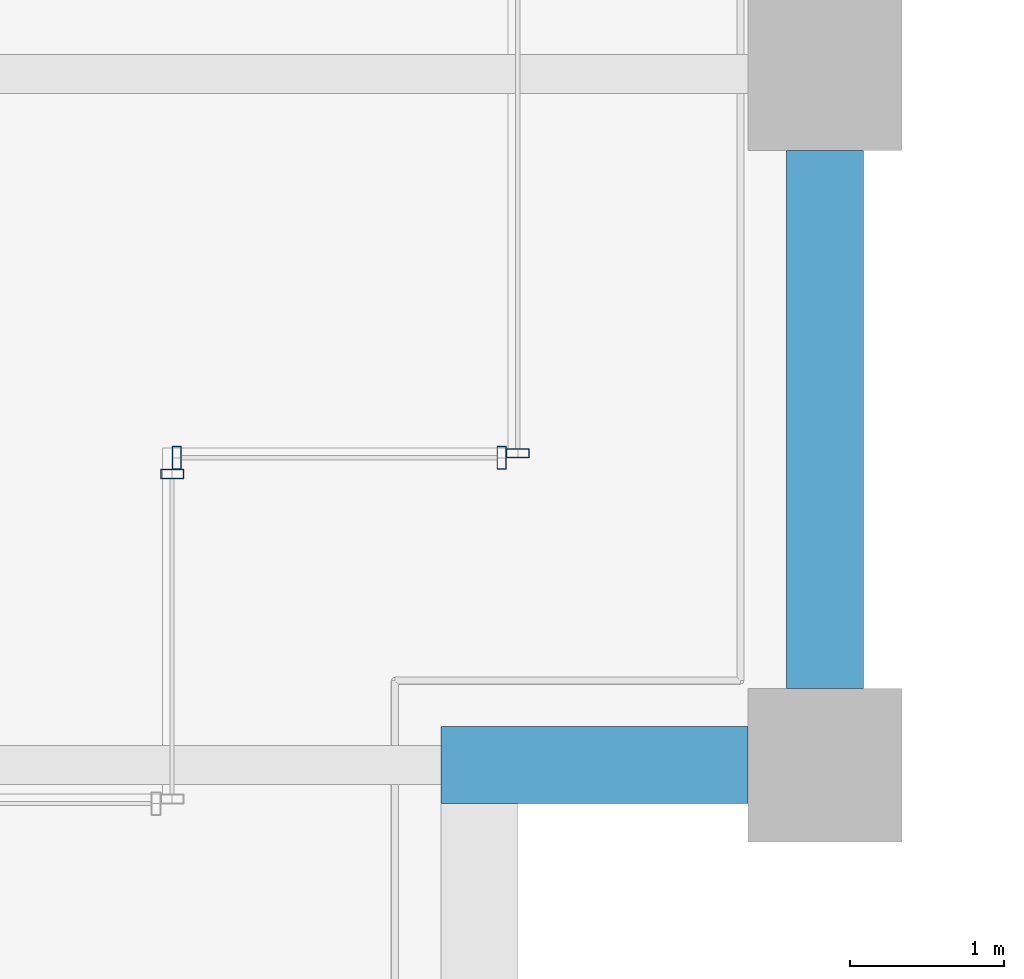
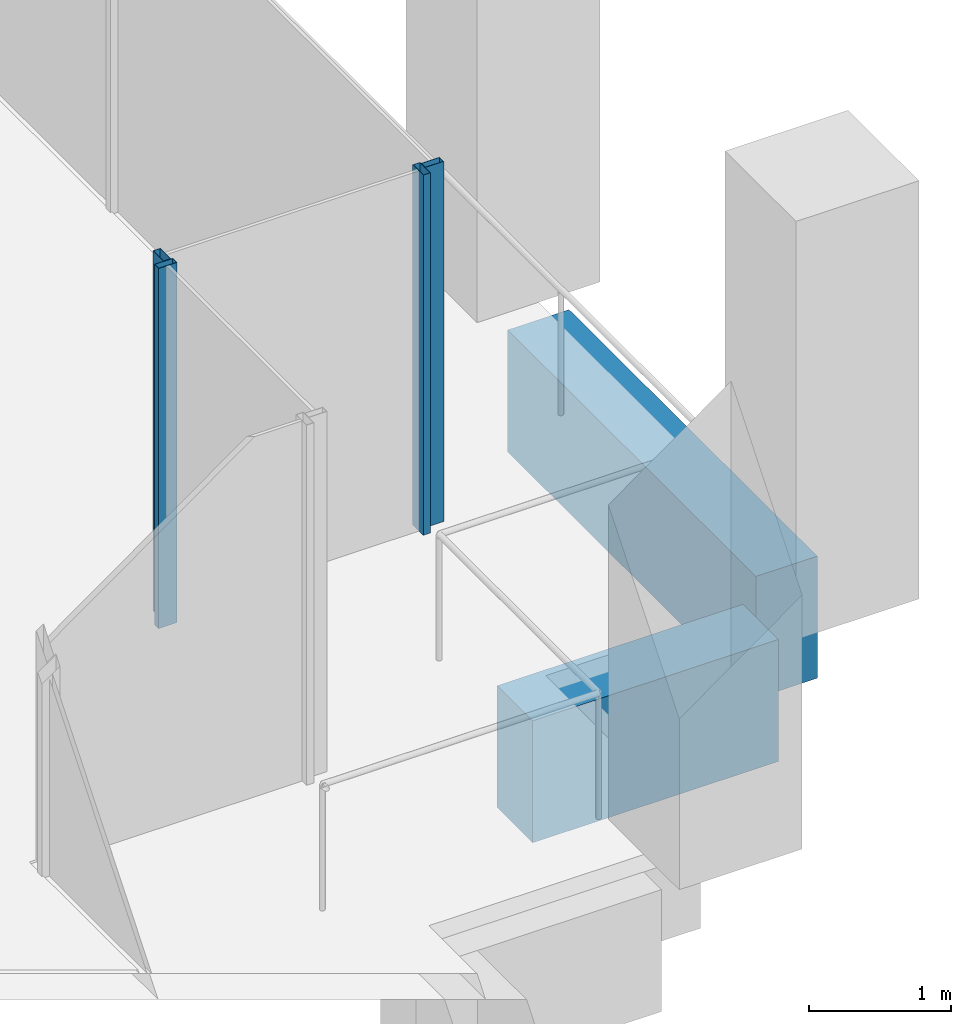
# One storey, part 13 of 47: 4 members, 2 beams, 3 elements without a shape of their own.
"""IFC4 building model written with IfcOpenShell, lengths in metres."""

from ifc_helpers import new_model, si_unit, direction, frame, origin, origin_2d, place, context, subcontext, project, spatial, rectangle, hollow_rectangle, extrude, material, material_profile, profile_set, type_object, element, aggregate, save


model = new_model("IFC4")

# Units and contexts
model_context = context("Model", 3, precision=1e-05, world=origin(), true_north=direction((0.0, 1.0)))
body_context = subcontext(model_context, "Body", "Model", "MODEL_VIEW")
ifc_project = project(units=[si_unit("LENGTHUNIT", "METRE"), si_unit("AREAUNIT", "SQUARE_METRE"), si_unit("VOLUMEUNIT", "CUBIC_METRE"), si_unit("PLANEANGLEUNIT", "RADIAN"), si_unit("MASSUNIT", "GRAM", prefix="KILO")], contexts=[model_context])

# Site, building, storey
site_placement = place(None, origin())
site = spatial("IfcSite", under=ifc_project, at=site_placement, CompositionType="ELEMENT")
building_placement = place(site_placement, origin())
building = spatial("IfcBuilding", under=site, at=building_placement, Name="Altepetl Exchange Towers", CompositionType="ELEMENT")
storey_placement = place(building_placement, frame((0.0, 0.0, 99.199951171875)))
storey = spatial("IfcBuildingStorey", under=building, at=storey_placement, Name="L24", CompositionType="ELEMENT", Elevation=99.199951171875)

# Curtain wall, member
ifc_material_1 = material(Name="Aluminium 6063-T6 glazing", Category="aluminium")
curtain_wall_type = type_object("IfcCurtainWallType", Name="Loggia glazing system", PredefinedType="NOTDEFINED", material=ifc_material_1)
curtain_wall_1_placement = place(storey_placement, origin())
curtain_wall_1 = element("IfcCurtainWall", 1, at=curtain_wall_1_placement, inside=storey, type_object=curtain_wall_type, Name="CW1 run", PredefinedType="NOTDEFINED")
ifc_material_2 = material(Name="Aluminium 6063-T6", Category="aluminium")
ifc_material_profile_1 = material_profile(ifc_material_2, hollow_rectangle(XDim=0.06005859375, YDim=0.14990234375, WallThickness=0.0029296875, at=origin_2d()), Name="Mullion 60x150 aluminium")
ifc_profile_set_1 = profile_set([ifc_material_profile_1], Name="Aluminium 6063-T6")
member_type = type_object("IfcMemberType", Name="Mullion 60x150 aluminium", PredefinedType="MULLION", material=ifc_profile_set_1)
member_1_placement = place(storey_placement, frame((67.75, 33.39501953125, 0.0), z_axis=(0.0, 0.0, 1.0), x_axis=(0.0, 1.0, 0.0)))
member_1 = element("IfcMember", 2, at=member_1_placement, type_object=member_type, Name="MU1 mullion", PredefinedType="MULLION", context=body_context, shape_type="SweptSolid", body=[
    extrude(hollow_rectangle(XDim=0.06005859375, YDim=0.14990234375, WallThickness=0.0029296875, at=origin_2d()), origin(), (0.0, 0.0, 1.0), 3.10009765625),
])
aggregate(curtain_wall_1, [member_1])

# Curtain wall, members
curtain_wall_2_placement = place(storey_placement, origin())
curtain_wall_2 = element("IfcCurtainWall", 3, at=curtain_wall_2_placement, inside=storey, type_object=curtain_wall_type, Name="CW1 run", PredefinedType="NOTDEFINED")
member_2_placement = place(storey_placement, frame((67.780029296875, 33.5, 0.0)))
member_2 = element("IfcMember", 4, at=member_2_placement, type_object=member_type, Name="MU1 mullion", PredefinedType="MULLION", context=body_context, shape_type="SweptSolid", body=[
    extrude(hollow_rectangle(XDim=0.06005859375, YDim=0.14990234375, WallThickness=0.0029296875, at=origin_2d()), origin(), (0.0, 0.0, 1.0), 3.10009765625),
])
member_3_placement = place(storey_placement, frame((69.89501953125, 33.5, 0.0)))
member_3 = element("IfcMember", 5, at=member_3_placement, type_object=member_type, Name="MU1 mullion", PredefinedType="MULLION", context=body_context, shape_type="SweptSolid", body=[
    extrude(hollow_rectangle(XDim=0.06005859375, YDim=0.14990234375, WallThickness=0.0029296875, at=origin_2d()), origin(), (0.0, 0.0, 1.0), 3.10009765625),
])
aggregate(curtain_wall_2, [member_2, member_3])

# Curtain wall, member
curtain_wall_3_placement = place(storey_placement, origin())
curtain_wall_3 = element("IfcCurtainWall", 6, at=curtain_wall_3_placement, inside=storey, type_object=curtain_wall_type, Name="CW1 run", PredefinedType="NOTDEFINED")
member_4_placement = place(storey_placement, frame((70.0, 33.530029296875, 0.0), z_axis=(0.0, 0.0, 1.0), x_axis=(0.0, 1.0, 0.0)))
member_4 = element("IfcMember", 7, at=member_4_placement, type_object=member_type, Name="MU1 mullion", PredefinedType="MULLION", context=body_context, shape_type="SweptSolid", body=[
    extrude(hollow_rectangle(XDim=0.06005859375, YDim=0.14990234375, WallThickness=0.0029296875, at=origin_2d()), origin(), (0.0, 0.0, 1.0), 3.10009765625),
])
aggregate(curtain_wall_3, [member_4])

# Beams
ifc_material_3 = material(Name="Concrete C50/60 precast with cantera amarilla facing", Category="concrete")
ifc_material_profile_2 = material_profile(ifc_material_3, rectangle(XDim=0.5, YDim=1.050048828125, at=origin_2d()), Name="500 x 1050")
ifc_profile_set_2 = profile_set([ifc_material_profile_2], Name="Concrete C50/60 precast with cantera amarilla facing")
beam_type = type_object("IfcBeamType", Name="Spandrel beam 500x1050 cantera amarilla", PredefinedType="SPANDREL", material=ifc_profile_set_2)
beam_1_placement = place(storey_placement, frame((69.5, 31.5, -0.675048828125), z_axis=(1.0, 0.0, 0.0), x_axis=(0.0, 1.0, 0.0)))
element("IfcBeam", 8, at=beam_1_placement, inside=storey, type_object=beam_type, Name="sp:A:L24:011", PredefinedType="SPANDREL", context=body_context, shape_type="SweptSolid", body=[
    extrude(rectangle(XDim=0.5, YDim=1.050048828125, at=origin_2d()), origin(), (0.0, 0.0, 1.0), 2.0),
])
beam_2_placement = place(storey_placement, frame((72.0, 32.0, -0.675048828125), z_axis=(0.0, 1.0, 0.0), x_axis=(-1.0, 0.0, 0.0)))
element("IfcBeam", 9, at=beam_2_placement, inside=storey, type_object=beam_type, Name="sp:A:L24:012", PredefinedType="SPANDREL", context=body_context, shape_type="SweptSolid", body=[
    extrude(rectangle(XDim=0.5, YDim=1.050048828125, at=origin_2d()), origin(), (0.0, 0.0, 1.0), 3.5),
])

save(model, "model.ifc")
